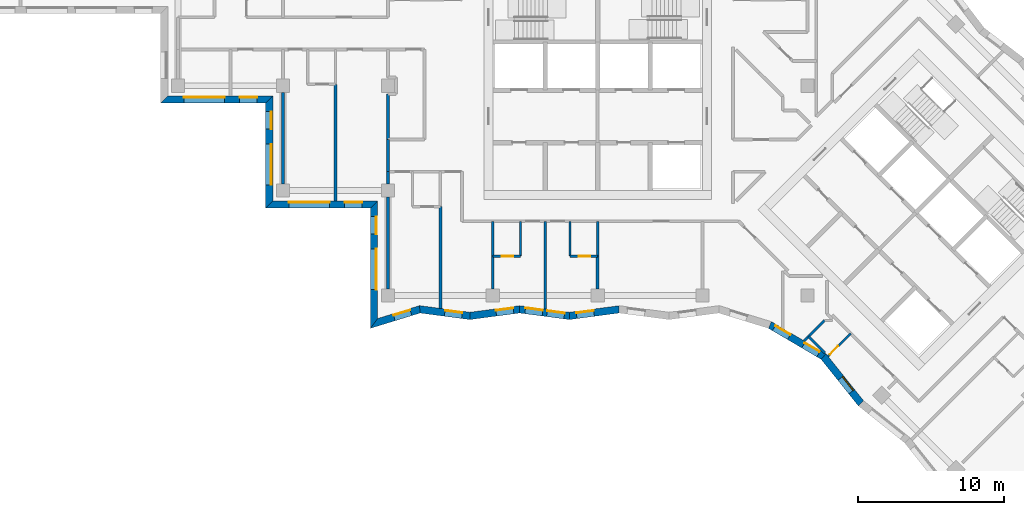
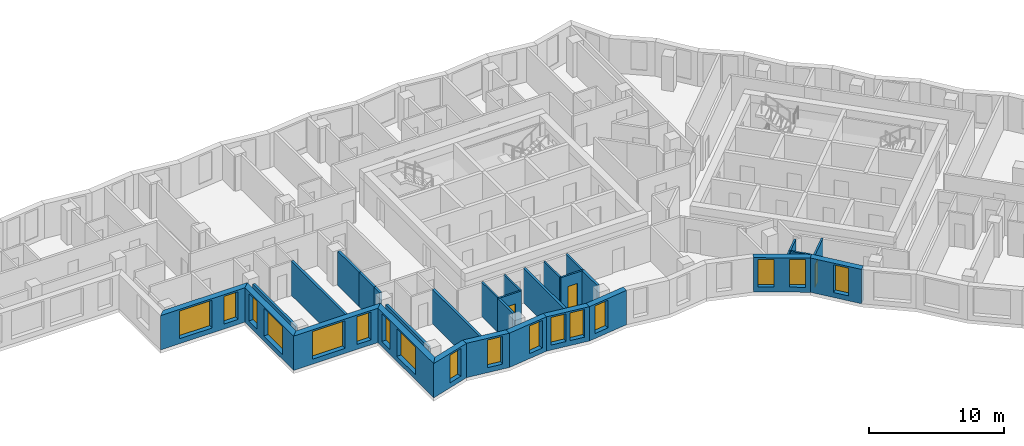
# One storey, part 2 of 12: 30 walls, 17 windows, 3 doors, 20 openings.
"""IFC4 building model written with IfcOpenShell, lengths in metres."""

import ifcopenshell
import ifcopenshell.guid

model = None  # the IFC model being written
_history = None  # IfcOwnerHistory: only IFC2X3 demands one
_inside = {}  # id of a spatial element -> (the spatial element, [elements in it])
_under = {}  # id of a project, library or spatial element -> (it, [spatial elements below it])
_declared = {}  # id of a project -> (the project, [libraries it declares])
_typed = {}  # id of a type object -> (the type object, [elements of that type])
_made_of = {}  # id of a material, layer set ... -> (it, [elements and type objects made of it])


def new_model(schema):
    """Start an empty IFC model of exactly this schema.

    Asked for "IFC4X3", IfcOpenShell would pick the latest addendum, in which some entities
    have other attributes; the version numbers below select the first issue.
    IFC2X3 requires an IfcOwnerHistory on every rooted entity: one is made here for all.
    """
    global model, _history
    if schema == "IFC4X3":
        model = ifcopenshell.file(schema_version=(4, 3, 0, 0))
    else:
        model = ifcopenshell.file(schema=schema)
    _inside.clear()
    _under.clear()
    _declared.clear()
    _typed.clear()
    _made_of.clear()
    _history = None
    if model.schema == "IFC2X3":
        org = make("IfcOrganization", Name="unknown")
        user = make(
            "IfcPersonAndOrganization",
            ThePerson=make("IfcPerson", FamilyName="unknown"),
            TheOrganization=org,
        )
        app = make(
            "IfcApplication",
            ApplicationDeveloper=org,
            Version="unknown",
            ApplicationFullName="unknown",
            ApplicationIdentifier="unknown",
        )
        _history = make(
            "IfcOwnerHistory",
            OwningUser=user,
            OwningApplication=app,
            ChangeAction="ADDED",
            CreationDate=0,
        )
    return model


def make(cls, **values):
    """One entity of the class cls with the attributes given. An attribute that is None is left unset."""
    return model.create_entity(
        cls, **{name: value for name, value in values.items() if value is not None}
    )


def rooted(cls, **values):
    """An entity with a GlobalId (a new one), such as an element, a storey or a relation."""
    return make(cls, GlobalId=ifcopenshell.guid.new(), OwnerHistory=_history, **values)


def si_unit(unit_type, name, prefix=None):
    """IfcSIUnit, for example si_unit("LENGTHUNIT", "METRE", prefix="MILLI")."""
    return make("IfcSIUnit", UnitType=unit_type, Prefix=prefix, Name=name)


def assignment(units):
    """IfcUnitAssignment: the units of a project."""
    return None if units is None else make("IfcUnitAssignment", Units=units)


def point(xyz):
    """IfcCartesianPoint."""
    return None if xyz is None else make("IfcCartesianPoint", Coordinates=xyz)


def direction(xyz):
    """IfcDirection."""
    return None if xyz is None else make("IfcDirection", DirectionRatios=xyz)


def frame(location, z_axis=None, x_axis=None):
    """IfcAxis2Placement3D, a coordinate frame: its origin and axes. An axis left out is left unset."""
    return make(
        "IfcAxis2Placement3D",
        Location=point(location),
        Axis=direction(z_axis),
        RefDirection=direction(x_axis),
    )


def frame_2d(location, x_axis=None):
    """IfcAxis2Placement2D, a coordinate frame in the plane: its origin and x axis."""
    return make(
        "IfcAxis2Placement2D", Location=point(location), RefDirection=direction(x_axis)
    )


def origin():
    """The frame at (0, 0, 0) with its axes left unset."""
    return frame((0.0, 0.0, 0.0))


def place(relative_to, where):
    """IfcLocalPlacement: puts the frame where relative to a parent placement (None: the world)."""
    return make(
        "IfcLocalPlacement", PlacementRelTo=relative_to, RelativePlacement=where
    )


def context(
    kind, dimensions, precision=None, world=None, true_north=None, identifier=None
):
    """IfcGeometricRepresentationContext, for example the 3D "Model" context."""
    return make(
        "IfcGeometricRepresentationContext",
        ContextIdentifier=identifier,
        ContextType=kind,
        CoordinateSpaceDimension=dimensions,
        Precision=precision,
        WorldCoordinateSystem=world,
        TrueNorth=true_north,
    )


def subcontext(parent, identifier, kind, view, scale=None):
    """IfcGeometricRepresentationSubContext, for example "Body" below "Model"."""
    return make(
        "IfcGeometricRepresentationSubContext",
        ContextIdentifier=identifier,
        ContextType=kind,
        ParentContext=parent,
        TargetScale=scale,
        TargetView=view,
    )


def project(units=None, contexts=None):
    """IfcProject with its units and contexts."""
    return rooted(
        "IfcProject",
        Name="project",
        RepresentationContexts=contexts,
        UnitsInContext=assignment(units),
    )


def spatial(cls, under=None, at=None, **own):
    """A site, building, storey or space (cls), placed at a placement, below another one or the project."""
    s = rooted(cls, ObjectPlacement=at, **own)
    if under is not None:
        _under.setdefault(under.id(), (under, []))[1].append(s)
    return s


def polyline(points):
    """IfcPolyline through the points."""
    return make("IfcPolyline", Points=[point(p) for p in points])


def profile(cls, at=None, kind="AREA", **sizes):
    """A parametric profile (cls). Its sizes go by their IFC names, for example OverallWidth=200.0."""
    return make(cls, ProfileType=kind, Position=at, **sizes)


def rectangle(**sizes):
    """IfcRectangleProfileDef."""
    return profile("IfcRectangleProfileDef", **sizes)


def outline(outer, holes=None, kind="AREA"):
    """IfcArbitraryClosedProfileDef: a profile drawn as a closed curve; with holes, ...WithVoids."""
    if holes is None:
        return make("IfcArbitraryClosedProfileDef", ProfileType=kind, OuterCurve=outer)
    return make(
        "IfcArbitraryProfileDefWithVoids",
        ProfileType=kind,
        OuterCurve=outer,
        InnerCurves=holes,
    )


def extrude(swept, where, along, depth):
    """IfcExtrudedAreaSolid: the profile swept, set in the frame where, extruded along a direction by depth."""
    return make(
        "IfcExtrudedAreaSolid",
        SweptArea=swept,
        Position=where,
        ExtrudedDirection=direction(along),
        Depth=depth,
    )


def shape(context_of_items, identifier, shape_type, items):
    """IfcShapeRepresentation: the items that make up one representation, for example the "Body"."""
    return make(
        "IfcShapeRepresentation",
        ContextOfItems=context_of_items,
        RepresentationIdentifier=identifier,
        RepresentationType=shape_type,
        Items=items,
    )


def material(Name=None, Category=None):
    """IfcMaterial."""
    return make("IfcMaterial", Name=Name, Category=Category)


def layer(
    of_material, thickness, ventilated=None, Name=None, Category=None, Priority=None
):
    """IfcMaterialLayer: one layer of a wall or slab, of a material (None: an air gap)."""
    return make(
        "IfcMaterialLayer",
        Material=of_material,
        LayerThickness=thickness,
        IsVentilated=ventilated,
        Name=Name,
        Category=Category,
        Priority=Priority,
    )


def layer_set(layers, Name=None):
    """IfcMaterialLayerSet."""
    return make("IfcMaterialLayerSet", MaterialLayers=layers, LayerSetName=Name)


def made_of(thing, what):
    """Note that an element or type object is made of a material, layer set ...; save() writes the relation."""
    if what is not None:
        _made_of.setdefault(what.id(), (what, []))[1].append(thing)
    return thing


def type_object(cls, material=None, **own):
    """A type object (cls), such as IfcWallType, which elements share."""
    return made_of(rooted(cls, **own), material)


def element(
    cls,
    number,
    at=None,
    inside=None,
    cuts=None,
    type_object=None,
    material=None,
    context=None,
    identifier="Body",
    shape_type=None,
    held_by="IfcProductDefinitionShape",
    body=None,
    shapes=None,
    **own,
):
    """One element of the class cls, such as IfcWall. Its Tag is "e" and its number.

    at: its placement. inside: the storey or other place that contains it. cuts: it is an
    opening in that element (IfcRelVoidsElement). A single representation is given by context,
    identifier, shape_type and body (its items); several are given by shapes. held_by: the class
    of the entity that holds the representations. save() writes the other relations.
    """
    e = rooted(cls, Tag="e%d" % number, ObjectPlacement=at, **own)
    if body is not None:
        shapes = [shape(context, identifier, shape_type, body)]
    if shapes is not None:
        e.Representation = make(held_by, Representations=shapes)
    if inside is not None:
        _inside.setdefault(inside.id(), (inside, []))[1].append(e)
    if cuts is not None:
        rooted(
            "IfcRelVoidsElement", RelatingBuildingElement=cuts, RelatedOpeningElement=e
        )
    if type_object is not None:
        _typed.setdefault(type_object.id(), (type_object, []))[1].append(e)
    return made_of(e, material)


def fill(opening, filler):
    """IfcRelFillsElement: the door or window that sits in an opening."""
    return rooted(
        "IfcRelFillsElement",
        RelatingOpeningElement=opening,
        RelatedBuildingElement=filler,
    )


def aggregate(whole, parts):
    """IfcRelAggregates: a whole, such as a stair, and the parts it consists of."""
    return rooted("IfcRelAggregates", RelatingObject=whole, RelatedObjects=parts)


def save(model, path):
    """Write the relations noted so far, then the file.

    IfcRelAggregates (storeys below a building ...), IfcRelContainedInSpatialStructure (elements
    in a storey), IfcRelDefinesByType, IfcRelAssociatesMaterial and IfcRelDeclares: one each for
    every whole, place, type object, material and project.
    """
    for whole, parts in _under.values():
        aggregate(whole, parts)
    for where, things in _inside.values():
        rooted(
            "IfcRelContainedInSpatialStructure",
            RelatedElements=things,
            RelatingStructure=where,
        )
    for kind, things in _typed.values():
        rooted("IfcRelDefinesByType", RelatedObjects=things, RelatingType=kind)
    for what, things in _made_of.values():
        rooted("IfcRelAssociatesMaterial", RelatedObjects=things, RelatingMaterial=what)
    for by, libraries in _declared.values():
        rooted("IfcRelDeclares", RelatingContext=by, RelatedDefinitions=libraries)
    model.write(path)


model = new_model("IFC4")

# Units and contexts
model_context = context("Model", 3, precision=1e-05, world=origin(), true_north=direction((0.0, 1.0)))
body_context = subcontext(model_context, "Body", "Model", "MODEL_VIEW")
ifc_project = project(units=[si_unit("LENGTHUNIT", "METRE"), si_unit("AREAUNIT", "SQUARE_METRE"), si_unit("VOLUMEUNIT", "CUBIC_METRE"), si_unit("PLANEANGLEUNIT", "RADIAN"), si_unit("MASSUNIT", "GRAM", prefix="KILO")], contexts=[model_context])

# Site, building, storey
site_placement = place(None, origin())
site = spatial("IfcSite", under=ifc_project, at=site_placement, CompositionType="ELEMENT")
building_placement = place(site_placement, origin())
building = spatial("IfcBuilding", under=site, at=building_placement, Name="Windrow Commons", CompositionType="ELEMENT")
storey_placement = place(building_placement, frame((0.0, 0.0, 152.4)))
storey = spatial("IfcBuildingStorey", under=building, at=storey_placement, Name="L41", CompositionType="ELEMENT", Elevation=152.4)

# Wall, openings, windows
ifc_material_1 = material(Name="Brick masonry, red clay brick", Category="masonry")
ifc_layer_1 = layer(ifc_material_1, 0.5)
ifc_layer_set_1 = layer_set([ifc_layer_1], Name="Brick facade wall 500")
wall_type_1 = type_object("IfcWallType", Name="Brick facade wall 500", PredefinedType="SOLIDWALL", material=ifc_layer_set_1)
wall_1_placement = place(storey_placement, frame((35.05, 56.65, 0.0), z_axis=(0.0, 0.0, 1.0), x_axis=(1.0, 0.0, 0.0)))
wall_1 = element("IfcWall", 1, at=wall_1_placement, inside=storey, type_object=wall_type_1, Name="Brick facade wall L41 38", PredefinedType="SOLIDWALL", context=body_context, shape_type="SweptSolid", body=[
    extrude(outline(polyline([(-0.25, -0.25), (6.95, -0.25), (7.45, 0.25), (0.25, 0.25), (-0.25, -0.25)])), origin(), (0.0, 0.0, 1.0), 3.1),
])
opening_1_placement = place(wall_1_placement, frame((1.35, 0.0, 0.45)))
opening_1 = element("IfcOpeningElement", 2, at=opening_1_placement, cuts=wall_1, Name="Opening W1U", PredefinedType="OPENING", context=body_context, shape_type="SweptSolid", body=[
    extrude(rectangle(XDim=2.8, YDim=2.5, at=frame_2d((1.4, 1.25))), frame((0.0, 0.26, 0.0), z_axis=(0.0, -1.0, 0.0), x_axis=(1.0, 0.0, 0.0)), (0.0, 0.0, 1.0), 0.52),
])
opening_2_placement = place(wall_1_placement, frame((5.175, 0.0, 0.45)))
opening_2 = element("IfcOpeningElement", 3, at=opening_2_placement, cuts=wall_1, Name="Opening W7E", PredefinedType="OPENING", context=body_context, shape_type="SweptSolid", body=[
    extrude(rectangle(XDim=1.2, YDim=2.5, at=frame_2d((0.6, 1.25))), frame((0.0, 0.26, 0.0), z_axis=(0.0, -1.0, 0.0), x_axis=(1.0, 0.0, 0.0)), (0.0, 0.0, 1.0), 0.52),
])
ifc_material_2 = material(Name="Clear float glass in anodised aluminium frame", Category="aluminium")
window_type_1 = type_object("IfcWindowType", Name="Window W1U bedroom 2800x2500", PartitioningType="SINGLE_PANEL", PredefinedType="WINDOW", material=ifc_material_2)
window_1_placement = place(opening_1_placement, origin())
window_1 = element("IfcWindow", 4, at=window_1_placement, inside=storey, type_object=window_type_1, Name="Window L41 38.1", OverallHeight=2.5, OverallWidth=2.8, PartitioningType="SINGLE_PANEL", PredefinedType="WINDOW", context=body_context, shape_type="SweptSolid", body=[
    extrude(rectangle(XDim=2.8, YDim=2.5, at=frame_2d((1.4, 1.25))), frame((0.0, 0.18, 0.0), z_axis=(0.0, -1.0, 0.0), x_axis=(1.0, 0.0, 0.0)), (0.0, 0.0, 1.0), 0.06),
])
fill(opening_1, window_1)
ifc_material_3 = material(Name="Clear float glass in anodised aluminium frame", Category="aluminium")
window_type_2 = type_object("IfcWindowType", Name="Window W7 notch 1200x2500", PartitioningType="SINGLE_PANEL", PredefinedType="WINDOW", material=ifc_material_3)
window_2_placement = place(opening_2_placement, origin())
window_2 = element("IfcWindow", 5, at=window_2_placement, inside=storey, type_object=window_type_2, Name="Window L41 38.2", OverallHeight=2.5, OverallWidth=1.2, PartitioningType="SINGLE_PANEL", PredefinedType="WINDOW", context=body_context, shape_type="SweptSolid", body=[
    extrude(rectangle(XDim=1.2, YDim=2.5, at=frame_2d((0.6, 1.25))), frame((0.0, 0.18, 0.0), z_axis=(0.0, -1.0, 0.0), x_axis=(1.0, 0.0, 0.0)), (0.0, 0.0, 1.0), 0.06),
])
fill(opening_2, window_2)

wall_2_placement = place(storey_placement, frame((42.25, 56.65, 0.0), z_axis=(0.0, 0.0, 1.0), x_axis=(0.0, -1.0, 0.0)))
wall_2 = element("IfcWall", 6, at=wall_2_placement, inside=storey, type_object=wall_type_1, Name="Brick facade wall L41 39", PredefinedType="SOLIDWALL", context=body_context, shape_type="SweptSolid", body=[
    extrude(outline(polyline([(0.25, -0.25), (7.45, -0.25), (6.95, 0.25), (-0.25, 0.25), (0.25, -0.25)])), origin(), (0.0, 0.0, 1.0), 3.1),
])
opening_3_placement = place(wall_2_placement, frame((3.05, 0.0, 0.45)))
opening_3 = element("IfcOpeningElement", 7, at=opening_3_placement, cuts=wall_2, Name="Opening W1U", PredefinedType="OPENING", context=body_context, shape_type="SweptSolid", body=[
    extrude(rectangle(XDim=2.8, YDim=2.5, at=frame_2d((1.4, 1.25))), frame((0.0, 0.26, 0.0), z_axis=(0.0, -1.0, 0.0), x_axis=(1.0, 0.0, 0.0)), (0.0, 0.0, 1.0), 0.52),
])
opening_4_placement = place(wall_2_placement, frame((0.825, 0.0, 0.45)))
opening_4 = element("IfcOpeningElement", 8, at=opening_4_placement, cuts=wall_2, Name="Opening W7E", PredefinedType="OPENING", context=body_context, shape_type="SweptSolid", body=[
    extrude(rectangle(XDim=1.2, YDim=2.5, at=frame_2d((0.6, 1.25))), frame((0.0, 0.26, 0.0), z_axis=(0.0, -1.0, 0.0), x_axis=(1.0, 0.0, 0.0)), (0.0, 0.0, 1.0), 0.52),
])
window_3_placement = place(opening_3_placement, origin())
window_3 = element("IfcWindow", 9, at=window_3_placement, inside=storey, type_object=window_type_1, Name="Window L41 39.1", OverallHeight=2.5, OverallWidth=2.8, PartitioningType="SINGLE_PANEL", PredefinedType="WINDOW", context=body_context, shape_type="SweptSolid", body=[
    extrude(rectangle(XDim=2.8, YDim=2.5, at=frame_2d((1.4, 1.25))), frame((0.0, 0.18, 0.0), z_axis=(0.0, -1.0, 0.0), x_axis=(1.0, 0.0, 0.0)), (0.0, 0.0, 1.0), 0.06),
])
fill(opening_3, window_3)
window_4_placement = place(opening_4_placement, origin())
window_4 = element("IfcWindow", 10, at=window_4_placement, inside=storey, type_object=window_type_2, Name="Window L41 39.2", OverallHeight=2.5, OverallWidth=1.2, PartitioningType="SINGLE_PANEL", PredefinedType="WINDOW", context=body_context, shape_type="SweptSolid", body=[
    extrude(rectangle(XDim=1.2, YDim=2.5, at=frame_2d((0.6, 1.25))), frame((0.0, 0.18, 0.0), z_axis=(0.0, -1.0, 0.0), x_axis=(1.0, 0.0, 0.0)), (0.0, 0.0, 1.0), 0.06),
])
fill(opening_4, window_4)

wall_3_placement = place(storey_placement, frame((42.25, 49.45, 0.0), z_axis=(0.0, 0.0, 1.0), x_axis=(1.0, 0.0, 0.0)))
wall_3 = element("IfcWall", 11, at=wall_3_placement, inside=storey, type_object=wall_type_1, Name="Brick facade wall L41 40", PredefinedType="SOLIDWALL", context=body_context, shape_type="SweptSolid", body=[
    extrude(outline(polyline([(-0.25, -0.25), (6.95, -0.25), (7.45, 0.25), (0.25, 0.25), (-0.25, -0.25)])), origin(), (0.0, 0.0, 1.0), 3.1),
])
opening_5_placement = place(wall_3_placement, frame((1.35, 0.0, 0.45)))
opening_5 = element("IfcOpeningElement", 12, at=opening_5_placement, cuts=wall_3, Name="Opening W1U", PredefinedType="OPENING", context=body_context, shape_type="SweptSolid", body=[
    extrude(rectangle(XDim=2.8, YDim=2.5, at=frame_2d((1.4, 1.25))), frame((0.0, 0.26, 0.0), z_axis=(0.0, -1.0, 0.0), x_axis=(1.0, 0.0, 0.0)), (0.0, 0.0, 1.0), 0.52),
])
opening_6_placement = place(wall_3_placement, frame((5.175, 0.0, 0.45)))
opening_6 = element("IfcOpeningElement", 13, at=opening_6_placement, cuts=wall_3, Name="Opening W7E", PredefinedType="OPENING", context=body_context, shape_type="SweptSolid", body=[
    extrude(rectangle(XDim=1.2, YDim=2.5, at=frame_2d((0.6, 1.25))), frame((0.0, 0.26, 0.0), z_axis=(0.0, -1.0, 0.0), x_axis=(1.0, 0.0, 0.0)), (0.0, 0.0, 1.0), 0.52),
])
window_5_placement = place(opening_5_placement, origin())
window_5 = element("IfcWindow", 14, at=window_5_placement, inside=storey, type_object=window_type_1, Name="Window L41 40.1", OverallHeight=2.5, OverallWidth=2.8, PartitioningType="SINGLE_PANEL", PredefinedType="WINDOW", context=body_context, shape_type="SweptSolid", body=[
    extrude(rectangle(XDim=2.8, YDim=2.5, at=frame_2d((1.4, 1.25))), frame((0.0, 0.18, 0.0), z_axis=(0.0, -1.0, 0.0), x_axis=(1.0, 0.0, 0.0)), (0.0, 0.0, 1.0), 0.06),
])
fill(opening_5, window_5)
window_6_placement = place(opening_6_placement, origin())
window_6 = element("IfcWindow", 15, at=window_6_placement, inside=storey, type_object=window_type_2, Name="Window L41 40.2", OverallHeight=2.5, OverallWidth=1.2, PartitioningType="SINGLE_PANEL", PredefinedType="WINDOW", context=body_context, shape_type="SweptSolid", body=[
    extrude(rectangle(XDim=1.2, YDim=2.5, at=frame_2d((0.6, 1.25))), frame((0.0, 0.18, 0.0), z_axis=(0.0, -1.0, 0.0), x_axis=(1.0, 0.0, 0.0)), (0.0, 0.0, 1.0), 0.06),
])
fill(opening_6, window_6)

wall_4_placement = place(storey_placement, frame((49.45, 49.45, 0.0), z_axis=(0.0, 0.0, 1.0), x_axis=(0.0, -1.0, 0.0)))
wall_4 = element("IfcWall", 16, at=wall_4_placement, inside=storey, type_object=wall_type_1, Name="Brick facade wall L41 41", PredefinedType="SOLIDWALL", context=body_context, shape_type="SweptSolid", body=[
    extrude(outline(polyline([(0.25, -0.25), (8.501, -0.25), (7.824, 0.25), (-0.25, 0.25), (0.25, -0.25)])), origin(), (0.0, 0.0, 1.0), 3.1),
])
opening_7_placement = place(wall_4_placement, frame((3.05, 0.0, 0.45)))
opening_7 = element("IfcOpeningElement", 17, at=opening_7_placement, cuts=wall_4, Name="Opening W1U", PredefinedType="OPENING", context=body_context, shape_type="SweptSolid", body=[
    extrude(rectangle(XDim=2.8, YDim=2.5, at=frame_2d((1.4, 1.25))), frame((0.0, 0.26, 0.0), z_axis=(0.0, -1.0, 0.0), x_axis=(1.0, 0.0, 0.0)), (0.0, 0.0, 1.0), 0.52),
])
opening_8_placement = place(wall_4_placement, frame((0.825, 0.0, 0.45)))
opening_8 = element("IfcOpeningElement", 18, at=opening_8_placement, cuts=wall_4, Name="Opening W7E", PredefinedType="OPENING", context=body_context, shape_type="SweptSolid", body=[
    extrude(rectangle(XDim=1.2, YDim=2.5, at=frame_2d((0.6, 1.25))), frame((0.0, 0.26, 0.0), z_axis=(0.0, -1.0, 0.0), x_axis=(1.0, 0.0, 0.0)), (0.0, 0.0, 1.0), 0.52),
])
window_7_placement = place(opening_7_placement, origin())
window_7 = element("IfcWindow", 19, at=window_7_placement, inside=storey, type_object=window_type_1, Name="Window L41 41.1", OverallHeight=2.5, OverallWidth=2.8, PartitioningType="SINGLE_PANEL", PredefinedType="WINDOW", context=body_context, shape_type="SweptSolid", body=[
    extrude(rectangle(XDim=2.8, YDim=2.5, at=frame_2d((1.4, 1.25))), frame((0.0, 0.18, 0.0), z_axis=(0.0, -1.0, 0.0), x_axis=(1.0, 0.0, 0.0)), (0.0, 0.0, 1.0), 0.06),
])
fill(opening_7, window_7)
window_8_placement = place(opening_8_placement, origin())
window_8 = element("IfcWindow", 20, at=window_8_placement, inside=storey, type_object=window_type_2, Name="Window L41 41.2", OverallHeight=2.5, OverallWidth=1.2, PartitioningType="SINGLE_PANEL", PredefinedType="WINDOW", context=body_context, shape_type="SweptSolid", body=[
    extrude(rectangle(XDim=1.2, YDim=2.5, at=frame_2d((0.6, 1.25))), frame((0.0, 0.18, 0.0), z_axis=(0.0, -1.0, 0.0), x_axis=(1.0, 0.0, 0.0)), (0.0, 0.0, 1.0), 0.06),
])
fill(opening_8, window_8)

# Wall, opening, window
wall_5_placement = place(storey_placement, frame((49.45, 41.2875, 0.0), z_axis=(0.0, 0.0, 1.0), x_axis=(0.9557612585, 0.2941435308, 0.0)))
wall_5 = element("IfcWall", 21, at=wall_5_placement, inside=storey, type_object=wall_type_1, Name="Brick facade wall L41 42", PredefinedType="SOLIDWALL", context=body_context, shape_type="SweptSolid", body=[
    extrude(outline(polyline([(-0.3385, -0.25), (3.2346, -0.25), (3.3438, 0.25), (0.3385, 0.25), (-0.3385, -0.25)])), origin(), (0.0, 0.0, 1.0), 3.1),
])
opening_9_placement = place(wall_5_placement, frame((1.4416, 0.0, 0.45)))
opening_9 = element("IfcOpeningElement", 22, at=opening_9_placement, cuts=wall_5, Name="Opening W7E", PredefinedType="OPENING", context=body_context, shape_type="SweptSolid", body=[
    extrude(rectangle(XDim=1.2, YDim=2.5, at=frame_2d((0.6, 1.25))), frame((0.0, 0.26, 0.0), z_axis=(0.0, -1.0, 0.0), x_axis=(1.0, 0.0, 0.0)), (0.0, 0.0, 1.0), 0.52),
])
window_9_placement = place(opening_9_placement, origin())
window_9 = element("IfcWindow", 23, at=window_9_placement, inside=storey, type_object=window_type_2, Name="Window L41 42.1", OverallHeight=2.5, OverallWidth=1.2, PartitioningType="SINGLE_PANEL", PredefinedType="WINDOW", context=body_context, shape_type="SweptSolid", body=[
    extrude(rectangle(XDim=1.2, YDim=2.5, at=frame_2d((0.6, 1.25))), frame((0.0, 0.18, 0.0), z_axis=(0.0, -1.0, 0.0), x_axis=(1.0, 0.0, 0.0)), (0.0, 0.0, 1.0), 0.06),
])
fill(opening_9, window_9)

wall_6_placement = place(storey_placement, frame((52.5937, 42.255, 0.0), z_axis=(0.0, 0.0, 1.0), x_axis=(0.9913929124, -0.1309201792, 0.0)))
wall_6 = element("IfcWall", 24, at=wall_6_placement, inside=storey, type_object=wall_type_1, Name="Brick facade wall L41 43", PredefinedType="SOLIDWALL", context=body_context, shape_type="SweptSolid", body=[
    extrude(outline(polyline([(0.0546, -0.25), (3.4993, -0.25), (3.4333, 0.25), (-0.0546, 0.25), (0.0546, -0.25)])), origin(), (0.0, 0.0, 1.0), 3.1),
])
opening_10_placement = place(wall_6_placement, frame((1.7259, 0.0, 0.45)))
opening_10 = element("IfcOpeningElement", 25, at=opening_10_placement, cuts=wall_6, Name="Opening W7E", PredefinedType="OPENING", context=body_context, shape_type="SweptSolid", body=[
    extrude(rectangle(XDim=1.2, YDim=2.5, at=frame_2d((0.6, 1.25))), frame((0.0, 0.26, 0.0), z_axis=(0.0, -1.0, 0.0), x_axis=(1.0, 0.0, 0.0)), (0.0, 0.0, 1.0), 0.52),
])
window_10_placement = place(opening_10_placement, origin())
window_10 = element("IfcWindow", 26, at=window_10_placement, inside=storey, type_object=window_type_2, Name="Window L41 43.1", OverallHeight=2.5, OverallWidth=1.2, PartitioningType="SINGLE_PANEL", PredefinedType="WINDOW", context=body_context, shape_type="SweptSolid", body=[
    extrude(rectangle(XDim=1.2, YDim=2.5, at=frame_2d((0.6, 1.25))), frame((0.0, 0.18, 0.0), z_axis=(0.0, -1.0, 0.0), x_axis=(1.0, 0.0, 0.0)), (0.0, 0.0, 1.0), 0.06),
])
fill(opening_10, window_10)

wall_7_placement = place(storey_placement, frame((56.0301, 41.8012, 0.0), z_axis=(0.0, 0.0, 1.0), x_axis=(0.9913924297, 0.1309238341, 0.0)))
wall_7 = element("IfcWall", 27, at=wall_7_placement, inside=storey, type_object=wall_type_1, Name="Brick facade wall L41 44", PredefinedType="SOLIDWALL", context=body_context, shape_type="SweptSolid", body=[
    extrude(outline(polyline([(-0.033, -0.25), (3.4117, -0.25), (3.4777, 0.25), (0.033, 0.25), (-0.033, -0.25)])), origin(), (0.0, 0.0, 1.0), 3.1),
])
opening_11_placement = place(wall_7_placement, frame((1.8141, 0.0, 0.45)))
opening_11 = element("IfcOpeningElement", 28, at=opening_11_placement, cuts=wall_7, Name="Opening W7E", PredefinedType="OPENING", context=body_context, shape_type="SweptSolid", body=[
    extrude(rectangle(XDim=1.2, YDim=2.5, at=frame_2d((0.6, 1.25))), frame((0.0, 0.26, 0.0), z_axis=(0.0, -1.0, 0.0), x_axis=(1.0, 0.0, 0.0)), (0.0, 0.0, 1.0), 0.52),
])
window_11_placement = place(opening_11_placement, origin())
window_11 = element("IfcWindow", 29, at=window_11_placement, inside=storey, type_object=window_type_2, Name="Window L41 44.1", OverallHeight=2.5, OverallWidth=1.2, PartitioningType="SINGLE_PANEL", PredefinedType="WINDOW", context=body_context, shape_type="SweptSolid", body=[
    extrude(rectangle(XDim=1.2, YDim=2.5, at=frame_2d((0.6, 1.25))), frame((0.0, 0.18, 0.0), z_axis=(0.0, -1.0, 0.0), x_axis=(1.0, 0.0, 0.0)), (0.0, 0.0, 1.0), 0.06),
])
fill(opening_11, window_11)

# Wall, openings, windows
wall_8_placement = place(storey_placement, frame((59.4452, 42.2522, 0.0), z_axis=(0.0, 0.0, 1.0), x_axis=(0.9913924297, -0.1309238341, 0.0)))
wall_8 = element("IfcWall", 30, at=wall_8_placement, inside=storey, type_object=wall_type_1, Name="Brick facade wall L41 45", PredefinedType="SOLIDWALL", context=body_context, shape_type="SweptSolid", body=[
    extrude(outline(polyline([(0.033, -0.25), (3.4777, -0.25), (3.4117, 0.25), (-0.033, 0.25), (0.033, -0.25)])), origin(), (0.0, 0.0, 1.0), 3.1),
])
opening_12_placement = place(wall_8_placement, frame((0.385, 0.0, 0.45)))
opening_12 = element("IfcOpeningElement", 31, at=opening_12_placement, cuts=wall_8, Name="Opening W7E", PredefinedType="OPENING", context=body_context, shape_type="SweptSolid", body=[
    extrude(rectangle(XDim=1.2, YDim=2.5, at=frame_2d((0.6, 1.25))), frame((0.0, 0.26, 0.0), z_axis=(0.0, -1.0, 0.0), x_axis=(1.0, 0.0, 0.0)), (0.0, 0.0, 1.0), 0.52),
])
opening_13_placement = place(wall_8_placement, frame((1.8909, 0.0, 0.45)))
opening_13 = element("IfcOpeningElement", 32, at=opening_13_placement, cuts=wall_8, Name="Opening W7E", PredefinedType="OPENING", context=body_context, shape_type="SweptSolid", body=[
    extrude(rectangle(XDim=1.2, YDim=2.5, at=frame_2d((0.6, 1.25))), frame((0.0, 0.26, 0.0), z_axis=(0.0, -1.0, 0.0), x_axis=(1.0, 0.0, 0.0)), (0.0, 0.0, 1.0), 0.52),
])
window_12_placement = place(opening_12_placement, origin())
window_12 = element("IfcWindow", 33, at=window_12_placement, inside=storey, type_object=window_type_2, Name="Window L41 45.1", OverallHeight=2.5, OverallWidth=1.2, PartitioningType="SINGLE_PANEL", PredefinedType="WINDOW", context=body_context, shape_type="SweptSolid", body=[
    extrude(rectangle(XDim=1.2, YDim=2.5, at=frame_2d((0.6, 1.25))), frame((0.0, 0.18, 0.0), z_axis=(0.0, -1.0, 0.0), x_axis=(1.0, 0.0, 0.0)), (0.0, 0.0, 1.0), 0.06),
])
fill(opening_12, window_12)
window_13_placement = place(opening_13_placement, origin())
window_13 = element("IfcWindow", 34, at=window_13_placement, inside=storey, type_object=window_type_2, Name="Window L41 45.2", OverallHeight=2.5, OverallWidth=1.2, PartitioningType="SINGLE_PANEL", PredefinedType="WINDOW", context=body_context, shape_type="SweptSolid", body=[
    extrude(rectangle(XDim=1.2, YDim=2.5, at=frame_2d((0.6, 1.25))), frame((0.0, 0.18, 0.0), z_axis=(0.0, -1.0, 0.0), x_axis=(1.0, 0.0, 0.0)), (0.0, 0.0, 1.0), 0.06),
])
fill(opening_13, window_13)

# Wall, opening, window
wall_9_placement = place(storey_placement, frame((62.8603, 41.8012, 0.0), z_axis=(0.0, 0.0, 1.0), x_axis=(0.9913924297, 0.1309238341, 0.0)))
wall_9 = element("IfcWall", 35, at=wall_9_placement, inside=storey, type_object=wall_type_1, Name="Brick facade wall L41 46", PredefinedType="SOLIDWALL", context=body_context, shape_type="SweptSolid", body=[
    extrude(outline(polyline([(-0.033, -0.25), (3.4117, -0.25), (3.4777, 0.25), (0.033, 0.25), (-0.033, -0.25)])), origin(), (0.0, 0.0, 1.0), 3.1),
])
opening_14_placement = place(wall_9_placement, frame((0.4948, 0.0, 0.45)))
opening_14 = element("IfcOpeningElement", 36, at=opening_14_placement, cuts=wall_9, Name="Opening W7E", PredefinedType="OPENING", context=body_context, shape_type="SweptSolid", body=[
    extrude(rectangle(XDim=1.2, YDim=2.5, at=frame_2d((0.6, 1.25))), frame((0.0, 0.26, 0.0), z_axis=(0.0, -1.0, 0.0), x_axis=(1.0, 0.0, 0.0)), (0.0, 0.0, 1.0), 0.52),
])
window_14_placement = place(opening_14_placement, origin())
window_14 = element("IfcWindow", 37, at=window_14_placement, inside=storey, type_object=window_type_2, Name="Window L41 46.1", OverallHeight=2.5, OverallWidth=1.2, PartitioningType="SINGLE_PANEL", PredefinedType="WINDOW", context=body_context, shape_type="SweptSolid", body=[
    extrude(rectangle(XDim=1.2, YDim=2.5, at=frame_2d((0.6, 1.25))), frame((0.0, 0.18, 0.0), z_axis=(0.0, -1.0, 0.0), x_axis=(1.0, 0.0, 0.0)), (0.0, 0.0, 1.0), 0.06),
])
fill(opening_14, window_14)

# Wall, openings, windows
wall_10_placement = place(storey_placement, frame((76.6221, 41.1793, 0.0), z_axis=(0.0, 0.0, 1.0), x_axis=(0.8618612856, -0.5071440864, 0.0)))
wall_10 = element("IfcWall", 38, at=wall_10_placement, inside=storey, type_object=wall_type_1, Name="Brick facade wall L41 50", PredefinedType="SOLIDWALL", context=body_context, shape_type="SweptSolid", body=[
    extrude(outline(polyline([(0.0293, -0.25), (4.2196, -0.25), (4.3117, 0.25), (-0.0293, 0.25), (0.0293, -0.25)])), origin(), (0.0, 0.0, 1.0), 3.1),
])
opening_15_placement = place(wall_10_placement, frame((0.3416, 0.0, 0.45)))
opening_15 = element("IfcOpeningElement", 39, at=opening_15_placement, cuts=wall_10, Name="Opening W7E", PredefinedType="OPENING", context=body_context, shape_type="SweptSolid", body=[
    extrude(rectangle(XDim=1.2, YDim=2.5, at=frame_2d((0.6, 1.25))), frame((0.0, 0.26, 0.0), z_axis=(0.0, -1.0, 0.0), x_axis=(1.0, 0.0, 0.0)), (0.0, 0.0, 1.0), 0.52),
])
opening_16_placement = place(wall_10_placement, frame((2.6744, 0.0, 0.45)))
opening_16 = element("IfcOpeningElement", 40, at=opening_16_placement, cuts=wall_10, Name="Opening W7E", PredefinedType="OPENING", context=body_context, shape_type="SweptSolid", body=[
    extrude(rectangle(XDim=1.2, YDim=2.5, at=frame_2d((0.6, 1.25))), frame((0.0, 0.26, 0.0), z_axis=(0.0, -1.0, 0.0), x_axis=(1.0, 0.0, 0.0)), (0.0, 0.0, 1.0), 0.52),
])
window_15_placement = place(opening_15_placement, origin())
window_15 = element("IfcWindow", 41, at=window_15_placement, inside=storey, type_object=window_type_2, Name="Window L41 50.1", OverallHeight=2.5, OverallWidth=1.2, PartitioningType="SINGLE_PANEL", PredefinedType="WINDOW", context=body_context, shape_type="SweptSolid", body=[
    extrude(rectangle(XDim=1.2, YDim=2.5, at=frame_2d((0.6, 1.25))), frame((0.0, 0.17, 0.0), z_axis=(0.0, -1.0, 0.0), x_axis=(1.0, 0.0, 0.0)), (0.0, 0.0, 1.0), 0.06),
])
fill(opening_15, window_15)
window_16_placement = place(opening_16_placement, origin())
window_16 = element("IfcWindow", 42, at=window_16_placement, inside=storey, type_object=window_type_2, Name="Window L41 50.2", OverallHeight=2.5, OverallWidth=1.2, PartitioningType="SINGLE_PANEL", PredefinedType="WINDOW", context=body_context, shape_type="SweptSolid", body=[
    extrude(rectangle(XDim=1.2, YDim=2.5, at=frame_2d((0.6, 1.25))), frame((0.0, 0.18, 0.0), z_axis=(0.0, -1.0, 0.0), x_axis=(1.0, 0.0, 0.0)), (0.0, 0.0, 1.0), 0.06),
])
fill(opening_16, window_16)

# Wall, opening, window
wall_11_placement = place(storey_placement, frame((80.2985, 39.016, 0.0), z_axis=(0.0, 0.0, 1.0), x_axis=(0.6246355526, -0.7809164017, 0.0)))
wall_11 = element("IfcWall", 43, at=wall_11_placement, inside=storey, type_object=wall_type_1, Name="Brick facade wall L41 51", PredefinedType="SOLIDWALL", context=body_context, shape_type="SweptSolid", body=[
    extrude(outline(polyline([(0.046, -0.25), (4.1274, -0.25), (4.0718, 0.25), (-0.046, 0.25), (0.046, -0.25)])), origin(), (0.0, 0.0, 1.0), 3.1),
])
opening_17_placement = place(wall_11_placement, frame((1.8893, 0.0, 0.45)))
opening_17 = element("IfcOpeningElement", 44, at=opening_17_placement, cuts=wall_11, Name="Opening W7E", PredefinedType="OPENING", context=body_context, shape_type="SweptSolid", body=[
    extrude(rectangle(XDim=1.2, YDim=2.5, at=frame_2d((0.6, 1.25))), frame((0.0, 0.26, 0.0), z_axis=(0.0, -1.0, 0.0), x_axis=(1.0, 0.0, 0.0)), (0.0, 0.0, 1.0), 0.52),
])
window_17_placement = place(opening_17_placement, origin())
window_17 = element("IfcWindow", 45, at=window_17_placement, inside=storey, type_object=window_type_2, Name="Window L41 51.1", OverallHeight=2.5, OverallWidth=1.2, PartitioningType="SINGLE_PANEL", PredefinedType="WINDOW", context=body_context, shape_type="SweptSolid", body=[
    extrude(rectangle(XDim=1.2, YDim=2.5, at=frame_2d((0.6, 1.25))), frame((0.0, 0.18, 0.0), z_axis=(0.0, -1.0, 0.0), x_axis=(1.0, 0.0, 0.0)), (0.0, 0.0, 1.0), 0.06),
])
fill(opening_17, window_17)

# Walls
ifc_material_4 = material(Name="Blockwork partition", Category="masonry")
ifc_layer_2 = layer(ifc_material_4, 0.2)
ifc_layer_set_2 = layer_set([ifc_layer_2], Name="IW-CORRIDOR-200")
wall_type_2 = type_object("IfcWallType", Name="IW-CORRIDOR-200", PredefinedType="PARTITIONING", material=ifc_layer_set_2)
wall_12_placement = place(storey_placement, frame((50.4, 51.7, 0.0), z_axis=(0.0, 0.0, 1.0), x_axis=(0.0, 1.0, 0.0)))
element("IfcWall", 46, at=wall_12_placement, inside=storey, type_object=wall_type_2, Name="W-L41-W109", PredefinedType="PARTITIONING", context=body_context, shape_type="SweptSolid", body=[
    extrude(rectangle(XDim=2.2, YDim=0.2, at=frame_2d((1.1, 0.0))), origin(), (0.0, 0.0, 1.0), 3.1),
])
ifc_material_5 = material(Name="Blockwork partition", Category="masonry")
ifc_layer_3 = layer(ifc_material_5, 0.15)
ifc_layer_set_3 = layer_set([ifc_layer_3], Name="IW-ENSUITE-150")
wall_type_3 = type_object("IfcWallType", Name="IW-ENSUITE-150", PredefinedType="PARTITIONING", material=ifc_layer_set_3)
for number, where, z_axis, x_axis, name in (
    (47, (59.5, 45.9, 0.0), (0.0, 0.0, 1.0), (0.0, 1.0, 0.0), "W-L41-W084"),
    (48, (57.6, 45.9, 0.0), (0.0, 0.0, 1.0), (0.0, 1.0, 0.0), "W-L41-W085"),
    (49, (62.9, 45.9, 0.0), (0.0, 0.0, 1.0), (0.0, 1.0, 0.0), "W-L41-W086"),
    (50, (64.8, 45.9, 0.0), (0.0, 0.0, 1.0), (0.0, 1.0, 0.0), "W-L41-W087"),
):
    element("IfcWall", number, at=place(storey_placement, frame(where, z_axis=z_axis, x_axis=x_axis)), inside=storey, type_object=wall_type_3, Name=name, PredefinedType="PARTITIONING", context=body_context, shape_type="SweptSolid", body=[
        extrude(rectangle(XDim=2.4, YDim=0.15, at=frame_2d((1.2, 0.0))), origin(), (0.0, 0.0, 1.0), 3.1),
    ])

# Wall, opening, door
wall_13_placement = place(storey_placement, frame((80.6013, 39.0376, 0.0), z_axis=(0.0, 0.0, 1.0), x_axis=(0.7071293353, 0.7070842263, 0.0)))
wall_13 = element("IfcWall", 51, at=wall_13_placement, inside=storey, type_object=wall_type_3, Name="W-L41-W113", PredefinedType="PARTITIONING", context=body_context, shape_type="SweptSolid", body=[
    extrude(rectangle(XDim=2.2169, YDim=0.15, at=frame_2d((1.1084, 0.0))), origin(), (0.0, 0.0, 1.0), 3.1),
])
opening_18_placement = place(wall_13_placement, frame((0.1799, 0.0, 0.0)))
opening_18 = element("IfcOpeningElement", 52, at=opening_18_placement, cuts=wall_13, Name="Opening D208N", PredefinedType="OPENING", context=body_context, shape_type="SweptSolid", body=[
    extrude(rectangle(XDim=0.8, YDim=2.1, at=frame_2d((0.4, 1.05))), frame((0.0, 0.085, 0.0), z_axis=(0.0, -1.0, 0.0), x_axis=(1.0, 0.0, 0.0)), (0.0, 0.0, 1.0), 0.17),
])
ifc_material_6 = material(Name="Timber door leaf", Category="wood")
door_type = type_object("IfcDoorType", Name="DT-ENSUITE-800", OperationType="SINGLE_SWING_LEFT", PredefinedType="DOOR", material=ifc_material_6)
door_1_placement = place(opening_18_placement, origin())
door_1 = element("IfcDoor", 53, at=door_1_placement, inside=storey, type_object=door_type, Name="D-L41-D047", OperationType="SINGLE_SWING_RIGHT", OverallHeight=2.1, OverallWidth=0.8, PredefinedType="DOOR", context=body_context, shape_type="SweptSolid", body=[
    extrude(rectangle(XDim=0.8, YDim=2.1, at=frame_2d((0.4, 1.05))), frame((0.0, 0.025, 0.0), z_axis=(0.0, -1.0, 0.0), x_axis=(1.0, 0.0, 0.0)), (0.0, 0.0, 1.0), 0.05),
])
fill(opening_18, door_1)

# Wall
wall_14_placement = place(storey_placement, frame((78.9666, 40.0898, 0.0), z_axis=(0.0, 0.0, 1.0), x_axis=(0.7071067812, 0.7071067812, 0.0)))
element("IfcWall", 54, at=wall_14_placement, inside=storey, type_object=wall_type_3, Name="W-L41-W121", PredefinedType="PARTITIONING", context=body_context, shape_type="SweptSolid", body=[
    extrude(rectangle(XDim=1.9952, YDim=0.15, at=frame_2d((0.9976, 0.0))), origin(), (0.0, 0.0, 1.0), 3.1),
])

# Wall, opening, door
wall_15_placement = place(storey_placement, frame((57.6, 45.9, 0.0), z_axis=(0.0, 0.0, 1.0), x_axis=(1.0, 0.0, 0.0)))
wall_15 = element("IfcWall", 55, at=wall_15_placement, inside=storey, type_object=wall_type_3, Name="W-L41-W130", PredefinedType="PARTITIONING", context=body_context, shape_type="SweptSolid", body=[
    extrude(rectangle(XDim=1.9, YDim=0.15, at=frame_2d((0.95, 0.0))), origin(), (0.0, 0.0, 1.0), 3.1),
])
opening_19_placement = place(wall_15_placement, frame((0.6069, 0.0, 0.0)))
opening_19 = element("IfcOpeningElement", 56, at=opening_19_placement, cuts=wall_15, Name="Opening D208N", PredefinedType="OPENING", context=body_context, shape_type="SweptSolid", body=[
    extrude(rectangle(XDim=0.8, YDim=2.1, at=frame_2d((0.4, 1.05))), frame((0.0, 0.085, 0.0), z_axis=(0.0, -1.0, 0.0), x_axis=(1.0, 0.0, 0.0)), (0.0, 0.0, 1.0), 0.17),
])
door_2_placement = place(opening_19_placement, origin())
door_2 = element("IfcDoor", 57, at=door_2_placement, inside=storey, type_object=door_type, Name="D-L41-D034", OperationType="SINGLE_SWING_RIGHT", OverallHeight=2.1, OverallWidth=0.8, PredefinedType="DOOR", context=body_context, shape_type="SweptSolid", body=[
    extrude(rectangle(XDim=0.8, YDim=2.1, at=frame_2d((0.4, 1.05))), frame((0.0, 0.025, 0.0), z_axis=(0.0, -1.0, 0.0), x_axis=(1.0, 0.0, 0.0)), (0.0, 0.0, 1.0), 0.05),
])
fill(opening_19, door_2)

wall_16_placement = place(storey_placement, frame((62.9, 45.9, 0.0), z_axis=(0.0, 0.0, 1.0), x_axis=(1.0, 0.0, 0.0)))
wall_16 = element("IfcWall", 58, at=wall_16_placement, inside=storey, type_object=wall_type_3, Name="W-L41-W131", PredefinedType="PARTITIONING", context=body_context, shape_type="SweptSolid", body=[
    extrude(rectangle(XDim=1.9, YDim=0.15, at=frame_2d((0.95, 0.0))), origin(), (0.0, 0.0, 1.0), 3.1),
])
opening_20_placement = place(wall_16_placement, frame((0.5979, 0.0, 0.0)))
opening_20 = element("IfcOpeningElement", 59, at=opening_20_placement, cuts=wall_16, Name="Opening D208N", PredefinedType="OPENING", context=body_context, shape_type="SweptSolid", body=[
    extrude(rectangle(XDim=0.8, YDim=2.1, at=frame_2d((0.4, 1.05))), frame((0.0, 0.085, 0.0), z_axis=(0.0, -1.0, 0.0), x_axis=(1.0, 0.0, 0.0)), (0.0, 0.0, 1.0), 0.17),
])
door_3_placement = place(opening_20_placement, origin())
door_3 = element("IfcDoor", 60, at=door_3_placement, inside=storey, type_object=door_type, Name="D-L41-D036", OperationType="SINGLE_SWING_RIGHT", OverallHeight=2.1, OverallWidth=0.8, PredefinedType="DOOR", context=body_context, shape_type="SweptSolid", body=[
    extrude(rectangle(XDim=0.8, YDim=2.1, at=frame_2d((0.4, 1.05))), frame((0.0, 0.025, 0.0), z_axis=(0.0, -1.0, 0.0), x_axis=(1.0, 0.0, 0.0)), (0.0, 0.0, 1.0), 0.05),
])
fill(opening_20, door_3)

# Walls
wall_17_placement = place(storey_placement, frame((79.2673, 40.3893, 0.0), z_axis=(0.0, 0.0, 1.0), x_axis=(0.7071067812, -0.7071067812, 0.0)))
element("IfcWall", 61, at=wall_17_placement, inside=storey, type_object=wall_type_3, Name="W-L41-W144", PredefinedType="PARTITIONING", context=body_context, shape_type="SweptSolid", body=[
    extrude(rectangle(XDim=1.5872, YDim=0.15, at=frame_2d((0.7936, 0.0))), origin(), (0.0, 0.0, 1.0), 3.1),
])
ifc_material_7 = material(Name="Blockwork partition", Category="masonry")
ifc_layer_4 = layer(ifc_material_7, 0.2)
ifc_layer_set_4 = layer_set([ifc_layer_4], Name="IW-PARTY-200")
wall_type_4 = type_object("IfcWallType", Name="IW-PARTY-200", PredefinedType="PARTITIONING", material=ifc_layer_set_4)
wall_18_placement = place(storey_placement, frame((46.8, 49.7, 0.0), z_axis=(0.0, 0.0, 1.0), x_axis=(0.0, 1.0, 0.0)))
element("IfcWall", 62, at=wall_18_placement, inside=storey, type_object=wall_type_4, Name="W-L41-W015", PredefinedType="PARTITIONING", context=body_context, shape_type="SweptSolid", body=[
    extrude(rectangle(XDim=8.0, YDim=0.2, at=frame_2d((4.0, 0.0))), origin(), (0.0, 0.0, 1.0), 3.1),
])
wall_19_placement = place(storey_placement, frame((54.0, 42.3214, 0.0), z_axis=(0.0, 0.0, 1.0), x_axis=(0.0, 1.0, 0.0)))
element("IfcWall", 63, at=wall_19_placement, inside=storey, type_object=wall_type_4, Name="W-L41-W016", PredefinedType="PARTITIONING", context=body_context, shape_type="SweptSolid", body=[
    extrude(rectangle(XDim=6.9786, YDim=0.2, at=frame_2d((3.4893, 0.0))), origin(), (0.0, 0.0, 1.0), 3.1),
])
for number, where, z_axis, x_axis, name in (
    (64, (50.4, 43.65, 0.0), (0.0, 0.0, 1.0), (0.0, 1.0, 0.0), "W-L41-W020"),
    (65, (43.2, 50.85, 0.0), (0.0, 0.0, 1.0), (0.0, 1.0, 0.0), "W-L41-W023"),
):
    element("IfcWall", number, at=place(storey_placement, frame(where, z_axis=z_axis, x_axis=x_axis)), inside=storey, type_object=wall_type_4, Name=name, PredefinedType="PARTITIONING", context=body_context, shape_type="SweptSolid", body=[
        extrude(rectangle(XDim=6.3, YDim=0.2, at=frame_2d((3.15, 0.0))), origin(), (0.0, 0.0, 1.0), 2.6),
    ])
wall_20_placement = place(storey_placement, frame((61.2, 42.2726, 0.0), z_axis=(0.0, 0.0, 1.0), x_axis=(0.0, 1.0, 0.0)))
element("IfcWall", 66, at=wall_20_placement, inside=storey, type_object=wall_type_4, Name="W-L41-W028", PredefinedType="PARTITIONING", context=body_context, shape_type="SweptSolid", body=[
    extrude(rectangle(XDim=6.0274, YDim=0.2, at=frame_2d((3.0137, 0.0))), origin(), (0.0, 0.0, 1.0), 3.1),
])
wall_21_placement = place(storey_placement, frame((50.4, 53.9, 0.0), z_axis=(0.0, 0.0, 1.0), x_axis=(0.0, 1.0, 0.0)))
element("IfcWall", 67, at=wall_21_placement, inside=storey, type_object=wall_type_4, Name="W-L41-W055", PredefinedType="PARTITIONING", context=body_context, shape_type="SweptSolid", body=[
    extrude(rectangle(XDim=3.144, YDim=0.2, at=frame_2d((1.572, 0.0))), origin(), (0.0, 0.0, 1.0), 3.1),
])
for number, where, z_axis, x_axis, name in (
    (68, (57.6, 43.65, 0.0), (0.0, 0.0, 1.0), (0.0, 1.0, 0.0), "W-L41-W101"),
    (69, (64.8, 43.65, 0.0), (0.0, 0.0, 1.0), (0.0, 1.0, 0.0), "W-L41-W102"),
):
    element("IfcWall", number, at=place(storey_placement, frame(where, z_axis=z_axis, x_axis=x_axis)), inside=storey, type_object=wall_type_4, Name=name, PredefinedType="PARTITIONING", context=body_context, shape_type="SweptSolid", body=[
        extrude(rectangle(XDim=2.25, YDim=0.2, at=frame_2d((1.125, 0.0))), origin(), (0.0, 0.0, 1.0), 3.1),
    ])
wall_22_placement = place(storey_placement, frame((50.4, 50.85, 0.0), z_axis=(0.0, 0.0, 1.0), x_axis=(0.0, 1.0, 0.0)))
element("IfcWall", 70, at=wall_22_placement, inside=storey, type_object=wall_type_4, Name="W-L41-W158", PredefinedType="PARTITIONING", context=body_context, shape_type="SweptSolid", body=[
    extrude(rectangle(XDim=0.85, YDim=0.2, at=frame_2d((0.425, 0.0))), origin(), (0.0, 0.0, 1.0), 3.1),
])

save(model, "model.ifc")
